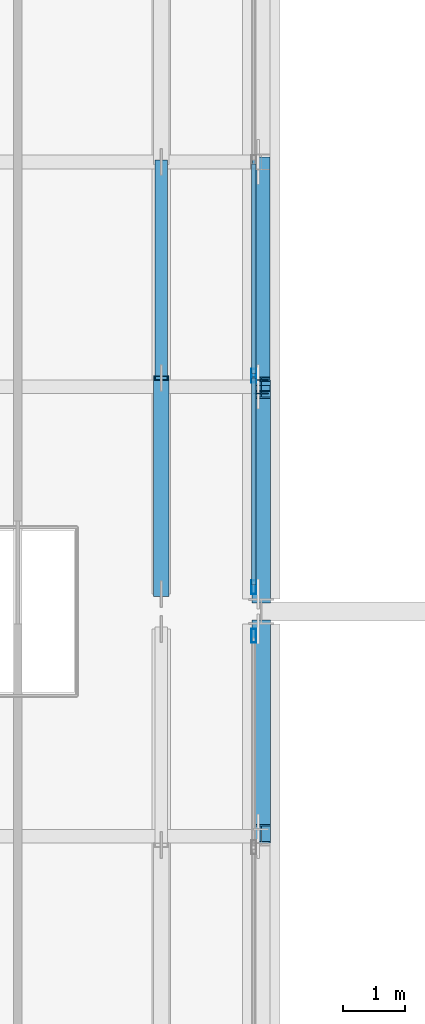
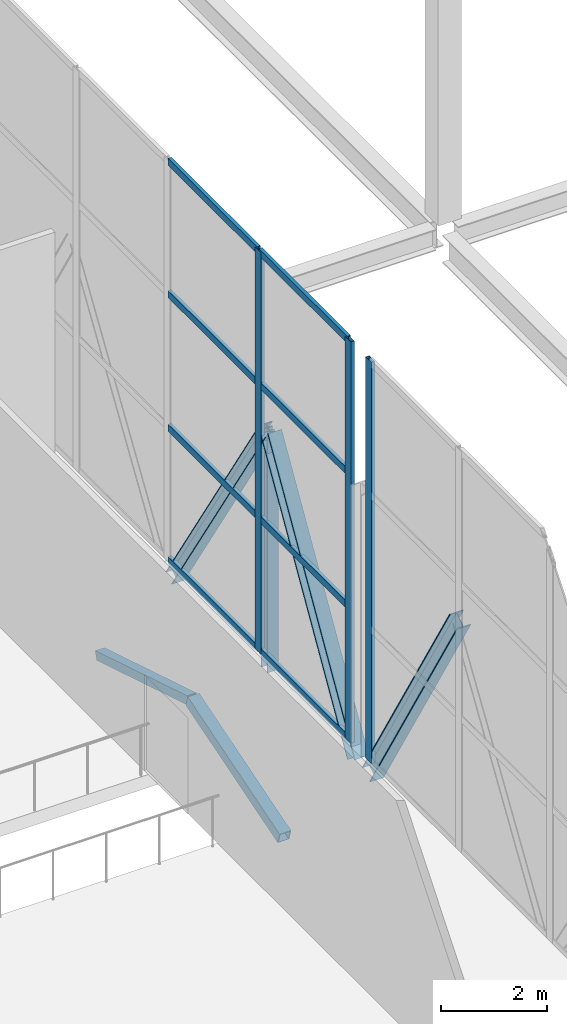
# One storey, part 64 of 191: 17 members, 2 elements without a shape of their own.
"""IFC4 building model written with IfcOpenShell, lengths in metres."""

from ifc_helpers import new_model, si_unit, direction, frame, origin, origin_2d, place, context, subcontext, project, spatial, hollow_rectangle, i_section, extrude, material, layer, layer_set, material_profile, profile_set, type_object, element, aggregate, save


model = new_model("IFC4")

# Units and contexts
model_context = context("Model", 3, precision=1e-05, world=origin(), true_north=direction((0.0, 1.0)))
body_context = subcontext(model_context, "Body", "Model", "MODEL_VIEW")
ifc_project = project(units=[si_unit("LENGTHUNIT", "METRE"), si_unit("AREAUNIT", "SQUARE_METRE"), si_unit("VOLUMEUNIT", "CUBIC_METRE"), si_unit("PLANEANGLEUNIT", "RADIAN"), si_unit("MASSUNIT", "GRAM", prefix="KILO")], contexts=[model_context])

# Site, building, storey
site_placement = place(None, origin())
site = spatial("IfcSite", under=ifc_project, at=site_placement, CompositionType="ELEMENT")
building_placement = place(site_placement, origin())
building = spatial("IfcBuilding", under=site, at=building_placement, Name="Tamarisk Ironworks Central Station", CompositionType="ELEMENT")
storey_placement = place(building_placement, frame((0.0, 0.0, 6.60009765625)))
storey = spatial("IfcBuildingStorey", under=building, at=storey_placement, Name="L01", CompositionType="ELEMENT", Elevation=6.60009765625)

# Curtain wall, member
ifc_material_1 = material(Name="Anodized aluminium alloy 6063-T6", Category="aluminium")
ifc_layer = layer(ifc_material_1, 0.179931640625)
ifc_layer_set = layer_set([ifc_layer], Name="Anodized aluminium alloy 6063-T6")
curtain_wall_type = type_object("IfcCurtainWallType", Name="CW-06", PredefinedType="USERDEFINED", material=ifc_layer_set)
curtain_wall_1_placement = place(storey_placement, origin())
curtain_wall_1 = element("IfcCurtainWall", 1, at=curtain_wall_1_placement, inside=storey, type_object=curtain_wall_type, Name="Concourse E track-overlook curtain wall 03", ObjectType="GLAZED CURTAIN WALL", PredefinedType="USERDEFINED")
ifc_material_profile_1 = material_profile(ifc_material_1, hollow_rectangle(XDim=0.074951171875, YDim=0.219970703125, WallThickness=0.00390625, at=origin_2d()), Name="ALUM 220x75")
ifc_profile_set_1 = profile_set([ifc_material_profile_1], Name="Anodized aluminium alloy 6063-T6")
member_type_1 = type_object("IfcMemberType", Name="CWM-01", PredefinedType="MULLION", material=ifc_profile_set_1)
member_1_placement = place(storey_placement, frame((107.8798828125, 50.012451171875, 0.0), z_axis=(0.0, 0.0, 1.0), x_axis=(-1.0, 0.0, 0.0)))
member_1 = element("IfcMember", 2, at=member_1_placement, type_object=member_type_1, Name="CW06 mullion 5", PredefinedType="MULLION", context=body_context, shape_type="SweptSolid", body=[
    extrude(hollow_rectangle(XDim=0.074951171875, YDim=0.219970703125, WallThickness=0.00390625, at=origin_2d()), origin(), (0.0, 0.0, 1.0), 9.219970703125),
])
aggregate(curtain_wall_1, [member_1])

# Curtain wall, members
curtain_wall_2_placement = place(storey_placement, origin())
curtain_wall_2 = element("IfcCurtainWall", 3, at=curtain_wall_2_placement, inside=storey, type_object=curtain_wall_type, Name="Concourse E track-overlook curtain wall 04", ObjectType="GLAZED CURTAIN WALL", PredefinedType="USERDEFINED")
member_2_placement = place(storey_placement, frame((107.8798828125, 50.78759765625, 0.0), z_axis=(0.0, 0.0, 1.0), x_axis=(-1.0, 0.0, 0.0)))
member_2 = element("IfcMember", 4, at=member_2_placement, type_object=member_type_1, Name="CW06 mullion 1", PredefinedType="MULLION", context=body_context, shape_type="SweptSolid", body=[
    extrude(hollow_rectangle(XDim=0.074951171875, YDim=0.219970703125, WallThickness=0.00390625, at=origin_2d()), origin(), (0.0, 0.0, 1.0), 9.219970703125),
])
member_3_placement = place(storey_placement, frame((107.8798828125, 54.175048828125, 0.0), z_axis=(0.0, 0.0, 1.0), x_axis=(-1.0, 0.0, 0.0)))
member_3 = element("IfcMember", 5, at=member_3_placement, type_object=member_type_1, Name="CW06 mullion 2", PredefinedType="MULLION", context=body_context, shape_type="SweptSolid", body=[
    extrude(hollow_rectangle(XDim=0.074951171875, YDim=0.219970703125, WallThickness=0.00390625, at=origin_2d()), origin(), (0.0, 0.0, 1.0), 9.219970703125),
])
ifc_material_profile_2 = material_profile(ifc_material_1, hollow_rectangle(XDim=0.074951171875, YDim=0.159912109375, WallThickness=0.00390625, at=origin_2d()), Name="ALUM 160x75")
ifc_profile_set_2 = profile_set([ifc_material_profile_2], Name="Anodized aluminium alloy 6063-T6")
member_type_2 = type_object("IfcMemberType", Name="CWT-01", PredefinedType="USERDEFINED", material=ifc_profile_set_2)
member_4_placement = place(storey_placement, frame((107.8798828125, 50.821044921875, 0.037353515625), z_axis=(0.0, 1.0, 0.0), x_axis=(-1.0, 0.0, 0.0)))
member_4 = element("IfcMember", 6, at=member_4_placement, type_object=member_type_2, Name="CW06 transom 1.1", ObjectType="TRANSOM", PredefinedType="USERDEFINED", context=body_context, shape_type="SweptSolid", body=[
    extrude(hollow_rectangle(XDim=0.074951171875, YDim=0.159912109375, WallThickness=0.00390625, at=origin_2d()), origin(), (0.0, 0.0, 1.0), 3.320556640625),
])
member_5_placement = place(storey_placement, frame((107.8798828125, 50.821044921875, 3.0732421875), z_axis=(0.0, 1.0, 0.0), x_axis=(-1.0, 0.0, 0.0)))
member_5 = element("IfcMember", 7, at=member_5_placement, type_object=member_type_2, Name="CW06 transom 1.2", ObjectType="TRANSOM", PredefinedType="USERDEFINED", context=body_context, shape_type="SweptSolid", body=[
    extrude(hollow_rectangle(XDim=0.074951171875, YDim=0.159912109375, WallThickness=0.00390625, at=origin_2d()), origin(), (0.0, 0.0, 1.0), 3.320556640625),
])
member_6_placement = place(storey_placement, frame((107.8798828125, 50.821044921875, 6.146484375), z_axis=(0.0, 1.0, 0.0), x_axis=(-1.0, 0.0, 0.0)))
member_6 = element("IfcMember", 8, at=member_6_placement, type_object=member_type_2, Name="CW06 transom 1.3", ObjectType="TRANSOM", PredefinedType="USERDEFINED", context=body_context, shape_type="SweptSolid", body=[
    extrude(hollow_rectangle(XDim=0.074951171875, YDim=0.159912109375, WallThickness=0.00390625, at=origin_2d()), origin(), (0.0, 0.0, 1.0), 3.320556640625),
])
member_7_placement = place(storey_placement, frame((107.8798828125, 50.821044921875, 9.182373046875), z_axis=(0.0, 1.0, 0.0), x_axis=(-1.0, 0.0, 0.0)))
member_7 = element("IfcMember", 9, at=member_7_placement, type_object=member_type_2, Name="CW06 transom 1.4", ObjectType="TRANSOM", PredefinedType="USERDEFINED", context=body_context, shape_type="SweptSolid", body=[
    extrude(hollow_rectangle(XDim=0.074951171875, YDim=0.159912109375, WallThickness=0.00390625, at=origin_2d()), origin(), (0.0, 0.0, 1.0), 3.320556640625),
])
member_8_placement = place(storey_placement, frame((107.8798828125, 54.20849609375, 0.037353515625), z_axis=(0.0, 1.0, 0.0), x_axis=(-1.0, 0.0, 0.0)))
member_8 = element("IfcMember", 10, at=member_8_placement, type_object=member_type_2, Name="CW06 transom 2.1", ObjectType="TRANSOM", PredefinedType="USERDEFINED", context=body_context, shape_type="SweptSolid", body=[
    extrude(hollow_rectangle(XDim=0.074951171875, YDim=0.159912109375, WallThickness=0.00390625, at=origin_2d()), origin(), (0.0, 0.0, 1.0), 3.35791015625),
])
member_9_placement = place(storey_placement, frame((107.8798828125, 54.20849609375, 3.0732421875), z_axis=(0.0, 1.0, 0.0), x_axis=(-1.0, 0.0, 0.0)))
member_9 = element("IfcMember", 11, at=member_9_placement, type_object=member_type_2, Name="CW06 transom 2.2", ObjectType="TRANSOM", PredefinedType="USERDEFINED", context=body_context, shape_type="SweptSolid", body=[
    extrude(hollow_rectangle(XDim=0.074951171875, YDim=0.159912109375, WallThickness=0.00390625, at=origin_2d()), origin(), (0.0, 0.0, 1.0), 3.35791015625),
])
member_10_placement = place(storey_placement, frame((107.8798828125, 54.20849609375, 6.146484375), z_axis=(0.0, 1.0, 0.0), x_axis=(-1.0, 0.0, 0.0)))
member_10 = element("IfcMember", 12, at=member_10_placement, type_object=member_type_2, Name="CW06 transom 2.3", ObjectType="TRANSOM", PredefinedType="USERDEFINED", context=body_context, shape_type="SweptSolid", body=[
    extrude(hollow_rectangle(XDim=0.074951171875, YDim=0.159912109375, WallThickness=0.00390625, at=origin_2d()), origin(), (0.0, 0.0, 1.0), 3.35791015625),
])
member_11_placement = place(storey_placement, frame((107.8798828125, 54.20849609375, 9.182373046875), z_axis=(0.0, 1.0, 0.0), x_axis=(-1.0, 0.0, 0.0)))
member_11 = element("IfcMember", 13, at=member_11_placement, type_object=member_type_2, Name="CW06 transom 2.4", ObjectType="TRANSOM", PredefinedType="USERDEFINED", context=body_context, shape_type="SweptSolid", body=[
    extrude(hollow_rectangle(XDim=0.074951171875, YDim=0.159912109375, WallThickness=0.00390625, at=origin_2d()), origin(), (0.0, 0.0, 1.0), 3.35791015625),
])
aggregate(curtain_wall_2, [member_2, member_3, member_4, member_5, member_6, member_7, member_8, member_9, member_10, member_11])

# Members
ifc_material_2 = material(Name="Structural steel S355J2H", Category="steel")
ifc_material_profile_3 = material_profile(ifc_material_2, hollow_rectangle(XDim=0.25, YDim=0.25, WallThickness=0.012451171875, at=origin_2d()), Name="SHS 250x250x12.5")
ifc_profile_set_3 = profile_set([ifc_material_profile_3], Name="Structural steel S355J2H")
member_type_3 = type_object("IfcMemberType", Name="MB-BR01", PredefinedType="BRACE", material=ifc_profile_set_3)
member_12_placement = place(storey_placement, frame((106.39990234375, 50.679931640625, -1.64013671875), z_axis=(0.0, 0.956131332595, 0.292938346467), x_axis=(-1.0, 0.0, 0.0)))
element("IfcMember", 14, at=member_12_placement, inside=storey, type_object=member_type_3, Name="Bridge deck stiffening web brace 199", PredefinedType="BRACE", context=body_context, shape_type="SweptSolid", body=[
    extrude(hollow_rectangle(XDim=0.25, YDim=0.25, WallThickness=0.012451171875, at=origin_2d()), origin(), (0.0, 0.0, 1.0), 3.61865234375),
])
ifc_material_profile_4 = material_profile(ifc_material_2, hollow_rectangle(XDim=0.199951171875, YDim=0.199951171875, WallThickness=0.010009765625, at=origin_2d()), Name="SHS 200x200x10")
ifc_profile_set_4 = profile_set([ifc_material_profile_4], Name="Structural steel S355J2H")
member_type_4 = type_object("IfcMemberType", Name="MB-BR02", PredefinedType="BRACE", material=ifc_profile_set_4)
member_13_placement = place(storey_placement, frame((106.39990234375, 54.139892578125, -0.580078125), z_axis=(0.0, 0.956137121505, -0.29291945118), x_axis=(-1.0, 0.0, 0.0)))
element("IfcMember", 15, at=member_13_placement, inside=storey, type_object=member_type_4, Name="Bridge deck stiffening web brace 200", PredefinedType="BRACE", context=body_context, shape_type="SweptSolid", body=[
    extrude(hollow_rectangle(XDim=0.199951171875, YDim=0.199951171875, WallThickness=0.010009765625, at=origin_2d()), origin(), (0.0, 0.0, 1.0), 3.618896484375),
])
ifc_material_3 = material(Name="Structural steel S355J2", Category="steel")
ifc_material_profile_5 = material_profile(ifc_material_3, i_section(OverallWidth=0.300048828125, OverallDepth=0.340087890625, WebThickness=0.011962890625, FlangeThickness=0.021484375, at=origin_2d()), Name="HEB 340")
ifc_profile_set_5 = profile_set([ifc_material_profile_5], Name="Structural steel S355J2")
member_type_5 = type_object("IfcMemberType", Name="MB-TTD01", PredefinedType="BRACE", material=ifc_profile_set_5)
for number, where, z_axis, x_axis, name in (
    (16, (108.0, 46.840087890625, 5.119873046875), (0.0, 0.512200847378, -0.858865700762), (-1.0, 0.0, 0.0), "Transfer truss diagonal 097"),
    (17, (108.0, 50.679931640625, -0.380126953125), (0.0, 0.512200847378, 0.858865700762), (-1.0, 0.0, 0.0), "Transfer truss diagonal 099"),
):
    element("IfcMember", number, at=place(storey_placement, frame(where, z_axis=z_axis, x_axis=x_axis)), inside=storey, type_object=member_type_5, Name=name, PredefinedType="BRACE", context=body_context, shape_type="SweptSolid", body=[
        extrude(i_section(OverallWidth=0.300048828125, OverallDepth=0.340087890625, WebThickness=0.011962890625, FlangeThickness=0.021484375, at=origin_2d()), origin(), (0.0, 0.0, 1.0), 6.40380859375),
    ])
ifc_material_profile_6 = material_profile(ifc_material_3, i_section(OverallWidth=0.280029296875, OverallDepth=0.280029296875, WebThickness=0.010498046875, FlangeThickness=0.01806640625, at=origin_2d()), Name="HEB 280")
ifc_profile_set_6 = profile_set([ifc_material_profile_6], Name="Structural steel S355J2")
member_type_6 = type_object("IfcMemberType", Name="MB-TTD02", PredefinedType="BRACE", material=ifc_profile_set_6)
member_14_placement = place(storey_placement, frame((108.0, 54.0400390625, 5.119873046875), z_axis=(0.0, 0.539055818311, -0.842270042649), x_axis=(-1.0, 0.0, 0.0)))
element("IfcMember", 18, at=member_14_placement, inside=storey, type_object=member_type_6, Name="Transfer truss diagonal 100", PredefinedType="BRACE", context=body_context, shape_type="SweptSolid", body=[
    extrude(i_section(OverallWidth=0.280029296875, OverallDepth=0.280029296875, WebThickness=0.010498046875, FlangeThickness=0.01806640625, at=origin_2d()), origin(), (0.0, 0.0, 1.0), 6.530029296875),
])
ifc_material_profile_7 = material_profile(ifc_material_3, i_section(OverallWidth=0.239990234375, OverallDepth=0.239990234375, WebThickness=0.010009765625, FlangeThickness=0.01708984375, at=origin_2d()), Name="HEB 240")
ifc_profile_set_7 = profile_set([ifc_material_profile_7], Name="Structural steel S355J2")
member_type_7 = type_object("IfcMemberType", Name="MB-TTP02", PredefinedType="POST", material=ifc_profile_set_7)
member_15_placement = place(storey_placement, frame((108.0, 54.0, -0.340087890625), z_axis=(0.0, 0.0, 1.0), x_axis=(1.0, 0.0, 0.0)))
element("IfcMember", 19, at=member_15_placement, inside=storey, type_object=member_type_7, Name="Transfer truss vertical post 101", PredefinedType="POST", context=body_context, shape_type="SweptSolid", body=[
    extrude(i_section(OverallWidth=0.239990234375, OverallDepth=0.239990234375, WebThickness=0.010009765625, FlangeThickness=0.01708984375, at=origin_2d()), origin(), (0.0, 0.0, 1.0), 5.4599609375),
])

save(model, "model.ifc")
